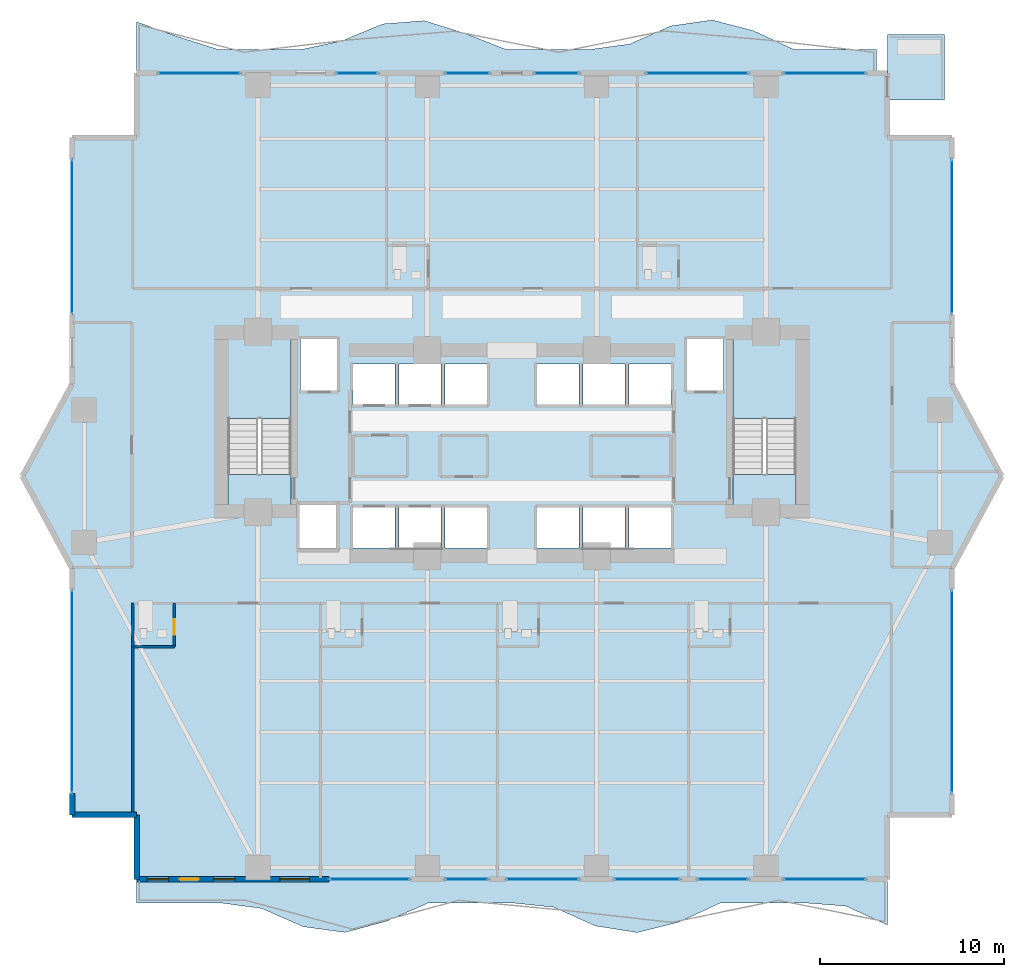
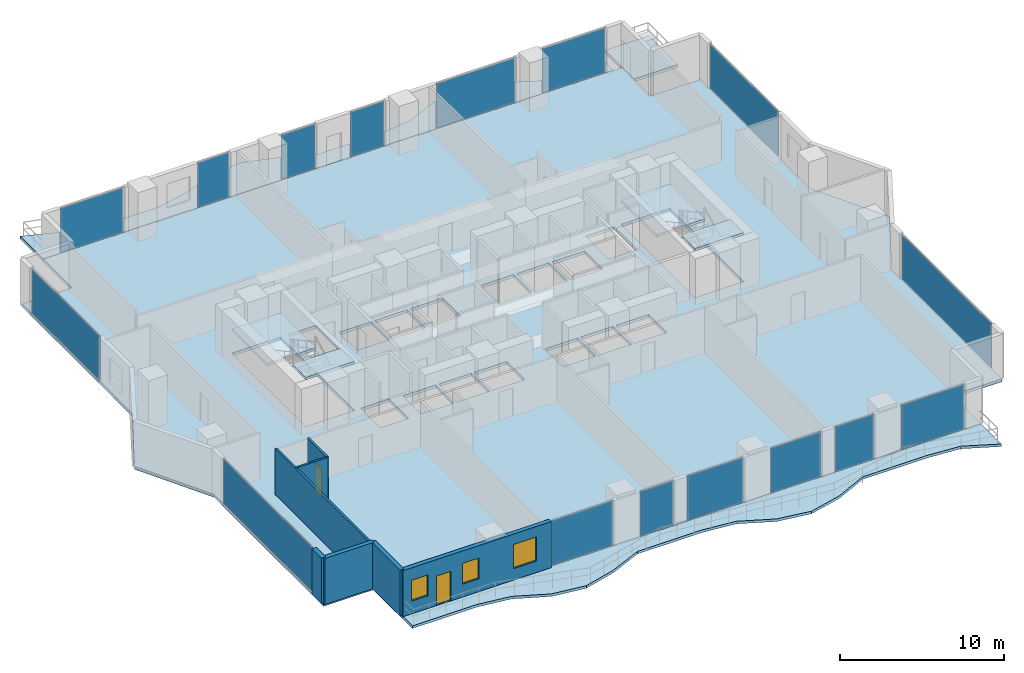
# One storey, part 20 of 28: 16 plates, 8 slabs, 7 walls, 3 windows, 2 doors, 5 openings, 18 elements without a shape of their own.
"""IFC4 building model written with IfcOpenShell, lengths in metres."""

from ifc_helpers import new_model, si_unit, direction, frame, frame_2d, origin, origin_2d, place, context, subcontext, project, spatial, polyline, rectangle, outline, extrude, material, layer, layer_set, type_object, element, fill, aggregate, save


model = new_model("IFC4")

# Units and contexts
model_context = context("Model", 3, precision=1e-05, world=origin(), true_north=direction((0.0, 1.0)))
body_context = subcontext(model_context, "Body", "Model", "MODEL_VIEW")
ifc_project = project(units=[si_unit("LENGTHUNIT", "METRE"), si_unit("AREAUNIT", "SQUARE_METRE"), si_unit("VOLUMEUNIT", "CUBIC_METRE"), si_unit("PLANEANGLEUNIT", "RADIAN"), si_unit("MASSUNIT", "GRAM", prefix="KILO")], contexts=[model_context])

# Site, building, storey
site_placement = place(None, origin())
site = spatial("IfcSite", under=ifc_project, at=site_placement, CompositionType="ELEMENT")
building_placement = place(site_placement, origin())
building = spatial("IfcBuilding", under=site, at=building_placement, Name="Zuhayl Quay Hotel", CompositionType="ELEMENT")
storey_placement = place(building_placement, frame((0.0, 0.0, 146.75)))
storey = spatial("IfcBuildingStorey", under=building, at=storey_placement, Name="L37", CompositionType="ELEMENT", Elevation=146.75)

# Curtain wall, plate
ifc_material_1 = material(Name="Anodised Aluminium 6063-T6", Category="aluminium")
ifc_layer_1 = layer(ifc_material_1, 0.179931640625, Name="Anodised Aluminium 6063-T6", Category="aluminium")
ifc_layer_set_1 = layer_set([ifc_layer_1], Name="Anodised Aluminium 6063-T6")
curtain_wall_type = type_object("IfcCurtainWallType", Name="CW_SYS_Z2", PredefinedType="USERDEFINED", material=ifc_layer_set_1)
curtain_wall_1_placement = place(storey_placement, origin())
curtain_wall_1 = element("IfcCurtainWall", 1, at=curtain_wall_1_placement, inside=storey, type_object=curtain_wall_type, Name="L37 Curtain Wall ENV_L37_E02_CW1", ObjectType="UNITISED CURTAIN WALL", PredefinedType="USERDEFINED")
ifc_material_2 = material(Name="Dark Ceramic-Fritted Solar Glass", Category="glass")
ifc_layer_2 = layer(ifc_material_2, 0.035888671875, Name="Dark Ceramic-Fritted Solar Glass", Category="glass")
ifc_layer_set_2 = layer_set([ifc_layer_2], Name="Dark Ceramic-Fritted Solar Glass")
plate_type = type_object("IfcPlateType", Name="PN_DARK_FRIT_Z1", PredefinedType="CURTAIN_PANEL", material=ifc_layer_set_2)
plate_1_placement = place(storey_placement, frame((-23.89990234375, -5.199951171875, 0.06005859375), z_axis=(0.0, 0.0, 1.0), x_axis=(0.0, 1.0, 0.0)))
plate_1 = element("IfcPlate", 2, at=plate_1_placement, type_object=plate_type, Name="CW-Z2 panel 1.1", PredefinedType="CURTAIN_PANEL", context=body_context, shape_type="SweptSolid", body=[
    extrude(rectangle(XDim=10.969970703125, YDim=0.035888671875, at=origin_2d()), origin(), (0.0, 0.0, 1.0), 3.31005859375),
])
aggregate(curtain_wall_1, [plate_1])

curtain_wall_2_placement = place(storey_placement, origin())
curtain_wall_2 = element("IfcCurtainWall", 3, at=curtain_wall_2_placement, inside=storey, type_object=curtain_wall_type, Name="L37 Curtain Wall ENV_L37_E05_CW1", ObjectType="UNITISED CURTAIN WALL", PredefinedType="USERDEFINED")
plate_2_placement = place(storey_placement, frame((-23.89990234375, 19.52490234375, 0.06005859375), z_axis=(0.0, 0.0, 1.0), x_axis=(0.0, 1.0, 0.0)))
plate_2 = element("IfcPlate", 4, at=plate_2_placement, type_object=plate_type, Name="CW-Z2 panel 1.1", PredefinedType="CURTAIN_PANEL", context=body_context, shape_type="SweptSolid", body=[
    extrude(rectangle(XDim=8.320068359375, YDim=0.035888671875, at=origin_2d()), origin(), (0.0, 0.0, 1.0), 3.31005859375),
])
aggregate(curtain_wall_2, [plate_2])

curtain_wall_3_placement = place(storey_placement, origin())
curtain_wall_3 = element("IfcCurtainWall", 5, at=curtain_wall_3_placement, inside=storey, type_object=curtain_wall_type, Name="L37 Curtain Wall ENV_L37_N_CW1", ObjectType="UNITISED CURTAIN WALL", PredefinedType="USERDEFINED")
plate_3_placement = place(storey_placement, frame((-16.985107421875, 28.39990234375, 0.06005859375), z_axis=(0.0, 0.0, 1.0), x_axis=(1.0, 0.0, 0.0)))
plate_3 = element("IfcPlate", 6, at=plate_3_placement, type_object=plate_type, Name="CW-Z2 panel 1.1", PredefinedType="CURTAIN_PANEL", context=body_context, shape_type="SweptSolid", body=[
    extrude(rectangle(XDim=4.39990234375, YDim=0.035888671875, at=origin_2d()), origin(), (0.0, 0.0, 1.0), 3.31005859375),
])
aggregate(curtain_wall_3, [plate_3])

curtain_wall_4_placement = place(storey_placement, origin())
curtain_wall_4 = element("IfcCurtainWall", 7, at=curtain_wall_4_placement, inside=storey, type_object=curtain_wall_type, Name="L37 Curtain Wall ENV_L37_N_CW2", ObjectType="UNITISED CURTAIN WALL", PredefinedType="USERDEFINED")
plate_4_placement = place(storey_placement, frame((-8.419921875, 28.39990234375, 0.06005859375), z_axis=(0.0, 0.0, 1.0), x_axis=(1.0, 0.0, 0.0)))
plate_4 = element("IfcPlate", 8, at=plate_4_placement, type_object=plate_type, Name="CW-Z2 panel 1.1", PredefinedType="CURTAIN_PANEL", context=body_context, shape_type="SweptSolid", body=[
    extrude(rectangle(XDim=2.2099609375, YDim=0.035888671875, at=origin_2d()), origin(), (0.0, 0.0, 1.0), 3.31005859375),
])
aggregate(curtain_wall_4, [plate_4])

curtain_wall_5_placement = place(storey_placement, origin())
curtain_wall_5 = element("IfcCurtainWall", 9, at=curtain_wall_5_placement, inside=storey, type_object=curtain_wall_type, Name="L37 Curtain Wall ENV_L37_N_CW3", ObjectType="UNITISED CURTAIN WALL", PredefinedType="USERDEFINED")
plate_5_placement = place(storey_placement, frame((-2.427490234375, 28.39990234375, 0.06005859375), z_axis=(0.0, 0.0, 1.0), x_axis=(1.0, 0.0, 0.0)))
plate_5 = element("IfcPlate", 10, at=plate_5_placement, type_object=plate_type, Name="CW-Z2 panel 1.1", PredefinedType="CURTAIN_PANEL", context=body_context, shape_type="SweptSolid", body=[
    extrude(rectangle(XDim=2.375, YDim=0.035888671875, at=origin_2d()), origin(), (0.0, 0.0, 1.0), 3.31005859375),
])
aggregate(curtain_wall_5, [plate_5])

curtain_wall_6_placement = place(storey_placement, origin())
curtain_wall_6 = element("IfcCurtainWall", 11, at=curtain_wall_6_placement, inside=storey, type_object=curtain_wall_type, Name="L37 Curtain Wall ENV_L37_N_CW4", ObjectType="UNITISED CURTAIN WALL", PredefinedType="USERDEFINED")
plate_6_placement = place(storey_placement, frame((2.427490234375, 28.39990234375, 0.06005859375), z_axis=(0.0, 0.0, 1.0), x_axis=(1.0, 0.0, 0.0)))
plate_6 = element("IfcPlate", 12, at=plate_6_placement, type_object=plate_type, Name="CW-Z2 panel 1.1", PredefinedType="CURTAIN_PANEL", context=body_context, shape_type="SweptSolid", body=[
    extrude(rectangle(XDim=2.375, YDim=0.035888671875, at=origin_2d()), origin(), (0.0, 0.0, 1.0), 3.31005859375),
])
aggregate(curtain_wall_6, [plate_6])

curtain_wall_7_placement = place(storey_placement, origin())
curtain_wall_7 = element("IfcCurtainWall", 13, at=curtain_wall_7_placement, inside=storey, type_object=curtain_wall_type, Name="L37 Curtain Wall ENV_L37_N_CW5", ObjectType="UNITISED CURTAIN WALL", PredefinedType="USERDEFINED")
plate_7_placement = place(storey_placement, frame((10.06494140625, 28.39990234375, 0.06005859375), z_axis=(0.0, 0.0, 1.0), x_axis=(1.0, 0.0, 0.0)))
plate_7 = element("IfcPlate", 14, at=plate_7_placement, type_object=plate_type, Name="CW-Z2 panel 1.1", PredefinedType="CURTAIN_PANEL", context=body_context, shape_type="SweptSolid", body=[
    extrude(rectangle(XDim=5.5, YDim=0.035888671875, at=origin_2d()), origin(), (0.0, 0.0, 1.0), 3.31005859375),
])
aggregate(curtain_wall_7, [plate_7])

curtain_wall_8_placement = place(storey_placement, origin())
curtain_wall_8 = element("IfcCurtainWall", 15, at=curtain_wall_8_placement, inside=storey, type_object=curtain_wall_type, Name="L37 Curtain Wall ENV_L37_N_CW6", ObjectType="UNITISED CURTAIN WALL", PredefinedType="USERDEFINED")
plate_8_placement = place(storey_placement, frame((16.985107421875, 28.39990234375, 0.06005859375), z_axis=(0.0, 0.0, 1.0), x_axis=(1.0, 0.0, 0.0)))
plate_8 = element("IfcPlate", 16, at=plate_8_placement, type_object=plate_type, Name="CW-Z2 panel 1.1", PredefinedType="CURTAIN_PANEL", context=body_context, shape_type="SweptSolid", body=[
    extrude(rectangle(XDim=4.39990234375, YDim=0.035888671875, at=origin_2d()), origin(), (0.0, 0.0, 1.0), 3.31005859375),
])
aggregate(curtain_wall_8, [plate_8])

curtain_wall_9_placement = place(storey_placement, origin())
curtain_wall_9 = element("IfcCurtainWall", 17, at=curtain_wall_9_placement, inside=storey, type_object=curtain_wall_type, Name="L37 Curtain Wall ENV_L37_E11_CW1", ObjectType="UNITISED CURTAIN WALL", PredefinedType="USERDEFINED")
plate_9_placement = place(storey_placement, frame((23.89990234375, 19.52490234375, 0.06005859375), z_axis=(0.0, 0.0, 1.0), x_axis=(0.0, -1.0, 0.0)))
plate_9 = element("IfcPlate", 18, at=plate_9_placement, type_object=plate_type, Name="CW-Z2 panel 1.1", PredefinedType="CURTAIN_PANEL", context=body_context, shape_type="SweptSolid", body=[
    extrude(rectangle(XDim=8.320068359375, YDim=0.035888671875, at=origin_2d()), origin(), (0.0, 0.0, 1.0), 3.31005859375),
])
aggregate(curtain_wall_9, [plate_9])

curtain_wall_10_placement = place(storey_placement, origin())
curtain_wall_10 = element("IfcCurtainWall", 19, at=curtain_wall_10_placement, inside=storey, type_object=curtain_wall_type, Name="L37 Curtain Wall ENV_L37_E14_CW1", ObjectType="UNITISED CURTAIN WALL", PredefinedType="USERDEFINED")
plate_10_placement = place(storey_placement, frame((23.89990234375, -5.199951171875, 0.06005859375), z_axis=(0.0, 0.0, 1.0), x_axis=(0.0, -1.0, 0.0)))
plate_10 = element("IfcPlate", 20, at=plate_10_placement, type_object=plate_type, Name="CW-Z2 panel 1.1", PredefinedType="CURTAIN_PANEL", context=body_context, shape_type="SweptSolid", body=[
    extrude(rectangle(XDim=10.969970703125, YDim=0.035888671875, at=origin_2d()), origin(), (0.0, 0.0, 1.0), 3.31005859375),
])
aggregate(curtain_wall_10, [plate_10])

curtain_wall_11_placement = place(storey_placement, origin())
curtain_wall_11 = element("IfcCurtainWall", 21, at=curtain_wall_11_placement, inside=storey, type_object=curtain_wall_type, Name="L37 Curtain Wall ENV_L37_S_CW1", ObjectType="UNITISED CURTAIN WALL", PredefinedType="USERDEFINED")
plate_11_placement = place(storey_placement, frame((16.985107421875, -15.39990234375, 0.06005859375), z_axis=(0.0, 0.0, 1.0), x_axis=(-1.0, 0.0, 0.0)))
plate_11 = element("IfcPlate", 22, at=plate_11_placement, type_object=plate_type, Name="CW-Z2 panel 1.1", PredefinedType="CURTAIN_PANEL", context=body_context, shape_type="SweptSolid", body=[
    extrude(rectangle(XDim=4.39990234375, YDim=0.035888671875, at=origin_2d()), origin(), (0.0, 0.0, 1.0), 3.31005859375),
])
aggregate(curtain_wall_11, [plate_11])

curtain_wall_12_placement = place(storey_placement, origin())
curtain_wall_12 = element("IfcCurtainWall", 23, at=curtain_wall_12_placement, inside=storey, type_object=curtain_wall_type, Name="L37 Curtain Wall ENV_L37_S_CW2", ObjectType="UNITISED CURTAIN WALL", PredefinedType="USERDEFINED")
plate_12_placement = place(storey_placement, frame((11.465087890625, -15.39990234375, 0.06005859375), z_axis=(0.0, 0.0, 1.0), x_axis=(-1.0, 0.0, 0.0)))
plate_12 = element("IfcPlate", 24, at=plate_12_placement, type_object=plate_type, Name="CW-Z2 panel 1.1", PredefinedType="CURTAIN_PANEL", context=body_context, shape_type="SweptSolid", body=[
    extrude(rectangle(XDim=2.699951171875, YDim=0.035888671875, at=origin_2d()), origin(), (0.0, 0.0, 1.0), 3.31005859375),
])
aggregate(curtain_wall_12, [plate_12])

curtain_wall_13_placement = place(storey_placement, origin())
curtain_wall_13 = element("IfcCurtainWall", 25, at=curtain_wall_13_placement, inside=storey, type_object=curtain_wall_type, Name="L37 Curtain Wall ENV_L37_S_CW3", ObjectType="UNITISED CURTAIN WALL", PredefinedType="USERDEFINED")
plate_13_placement = place(storey_placement, frame((7.3349609375, -15.39990234375, 0.06005859375), z_axis=(0.0, 0.0, 1.0), x_axis=(-1.0, 0.0, 0.0)))
plate_13 = element("IfcPlate", 26, at=plate_13_placement, type_object=plate_type, Name="CW-Z2 panel 1.1", PredefinedType="CURTAIN_PANEL", context=body_context, shape_type="SweptSolid", body=[
    extrude(rectangle(XDim=3.5, YDim=0.035888671875, at=origin_2d()), origin(), (0.0, 0.0, 1.0), 3.31005859375),
])
aggregate(curtain_wall_13, [plate_13])

curtain_wall_14_placement = place(storey_placement, origin())
curtain_wall_14 = element("IfcCurtainWall", 27, at=curtain_wall_14_placement, inside=storey, type_object=curtain_wall_type, Name="L37 Curtain Wall ENV_L37_S_CW4", ObjectType="UNITISED CURTAIN WALL", PredefinedType="USERDEFINED")
plate_14_placement = place(storey_placement, frame((1.6650390625, -15.39990234375, 0.06005859375), z_axis=(0.0, 0.0, 1.0), x_axis=(-1.0, 0.0, 0.0)))
plate_14 = element("IfcPlate", 28, at=plate_14_placement, type_object=plate_type, Name="CW-Z2 panel 1.1", PredefinedType="CURTAIN_PANEL", context=body_context, shape_type="SweptSolid", body=[
    extrude(rectangle(XDim=3.89990234375, YDim=0.035888671875, at=origin_2d()), origin(), (0.0, 0.0, 1.0), 3.31005859375),
])
aggregate(curtain_wall_14, [plate_14])

curtain_wall_15_placement = place(storey_placement, origin())
curtain_wall_15 = element("IfcCurtainWall", 29, at=curtain_wall_15_placement, inside=storey, type_object=curtain_wall_type, Name="L37 Curtain Wall ENV_L37_S_CW5", ObjectType="UNITISED CURTAIN WALL", PredefinedType="USERDEFINED")
plate_15_placement = place(storey_placement, frame((-2.465087890625, -15.39990234375, 0.06005859375), z_axis=(0.0, 0.0, 1.0), x_axis=(-1.0, 0.0, 0.0)))
plate_15 = element("IfcPlate", 30, at=plate_15_placement, type_object=plate_type, Name="CW-Z2 panel 1.1", PredefinedType="CURTAIN_PANEL", context=body_context, shape_type="SweptSolid", body=[
    extrude(rectangle(XDim=2.300048828125, YDim=0.035888671875, at=origin_2d()), origin(), (0.0, 0.0, 1.0), 3.31005859375),
])
aggregate(curtain_wall_15, [plate_15])

curtain_wall_16_placement = place(storey_placement, origin())
curtain_wall_16 = element("IfcCurtainWall", 31, at=curtain_wall_16_placement, inside=storey, type_object=curtain_wall_type, Name="L37 Curtain Wall ENV_L37_S_CW6", ObjectType="UNITISED CURTAIN WALL", PredefinedType="USERDEFINED")
plate_16_placement = place(storey_placement, frame((-7.735107421875, -15.39990234375, 0.06005859375), z_axis=(0.0, 0.0, 1.0), x_axis=(-1.0, 0.0, 0.0)))
plate_16 = element("IfcPlate", 32, at=plate_16_placement, type_object=plate_type, Name="CW-Z2 panel 1.1", PredefinedType="CURTAIN_PANEL", context=body_context, shape_type="SweptSolid", body=[
    extrude(rectangle(XDim=4.300048828125, YDim=0.035888671875, at=origin_2d()), origin(), (0.0, 0.0, 1.0), 3.31005859375),
])
aggregate(curtain_wall_16, [plate_16])

# Slabs
ifc_material_3 = material(Name="Concrete C45/55", Category="concrete")
ifc_layer_3 = layer(ifc_material_3, 0.195068359375, Name="Concrete C45/55", Category="concrete")
ifc_layer_set_3 = layer_set([ifc_layer_3], Name="Concrete C45/55")
slab_type_1 = type_object("IfcSlabType", Name="SL_BALCONY_195", PredefinedType="FLOOR", material=ifc_layer_set_3)
slab_1_placement = place(storey_placement, frame((0.0, 0.0, -0.195068359375)))
element("IfcSlab", 33, at=slab_1_placement, inside=storey, type_object=slab_type_1, Name="L37 Exterior Rippling Balcony Slab North", PredefinedType="FLOOR", context=body_context, shape_type="SweptSolid", body=[
    extrude(outline(polyline([(-20.39990234375, 28.39990234375), (19.800048828125, 28.39990234375), (19.800048828125, 29.679931640625), (17.566650390625, 29.679931640625), (15.333251953125, 29.679931640625), (13.10009765625, 30.717041015625), (10.86669921875, 31.289306640625), (8.63330078125, 30.968017578125), (6.39990234375, 29.984619140625), (4.166748046875, 29.679931640625), (1.933349609375, 29.679931640625), (-0.300048828125, 29.679931640625), (-2.533203125, 30.558349609375), (-4.7666015625, 31.253173828125), (-7.0, 31.080078125), (-9.2333984375, 30.164306640625), (-11.466796875, 29.679931640625), (-13.699951171875, 29.679931640625), (-15.933349609375, 29.679931640625), (-18.166748046875, 30.389404296875), (-20.39990234375, 31.19189453125), (-20.39990234375, 28.39990234375)])), origin(), (0.0, 0.0, 1.0), 0.195068359375),
])
slab_2_placement = place(storey_placement, frame((0.0, 0.0, -0.195068359375)))
element("IfcSlab", 34, at=slab_2_placement, inside=storey, type_object=slab_type_1, Name="L37 Exterior Rippling Balcony Slab South", PredefinedType="FLOOR", context=body_context, shape_type="SweptSolid", body=[
    extrude(outline(polyline([(-20.39990234375, -16.679931640625), (-18.13330078125, -16.679931640625), (-15.86669921875, -16.679931640625), (-13.60009765625, -16.984619140625), (-11.333251953125, -17.97900390625), (-9.066650390625, -18.28466796875), (-6.800048828125, -17.675048828125), (-4.533203125, -16.679931640625), (-2.2666015625, -16.679931640625), (0.0, -16.679931640625), (2.2666015625, -16.919189453125), (4.533203125, -17.933837890625), (6.800048828125, -18.293212890625), (9.066650390625, -17.730712890625), (11.333251953125, -16.679931640625), (13.60009765625, -16.679931640625), (15.86669921875, -16.679931640625), (18.13330078125, -16.8544921875), (20.39990234375, -17.886474609375), (20.39990234375, -15.39990234375), (-20.39990234375, -15.39990234375), (-20.39990234375, -16.679931640625)])), origin(), (0.0, 0.0, 1.0), 0.195068359375),
])
ifc_layer_4 = layer(ifc_material_3, 0.219970703125, Name="Concrete C45/55", Category="concrete")
ifc_layer_set_4 = layer_set([ifc_layer_4], Name="Concrete C45/55")
slab_type_2 = type_object("IfcSlabType", Name="SL_FLOOR_220", PredefinedType="FLOOR", material=ifc_layer_set_4)
slab_3_placement = place(storey_placement, frame((0.0, 0.0, -0.219970703125)))
element("IfcSlab", 35, at=slab_3_placement, inside=storey, type_object=slab_type_2, Name="L37 Structural Floor Slab", PredefinedType="FLOOR", context=body_context, shape_type="SweptSolid", body=[
    extrude(outline(polyline([(-20.39990234375, -15.39990234375), (20.39990234375, -15.39990234375), (20.39990234375, -11.89990234375), (23.89990234375, -11.89990234375), (23.89990234375, 1.5), (26.60009765625, 6.5), (23.89990234375, 11.5), (23.89990234375, 24.89990234375), (20.39990234375, 24.89990234375), (20.39990234375, 28.39990234375), (-20.39990234375, 28.39990234375), (-20.39990234375, 24.89990234375), (-23.89990234375, 24.89990234375), (-23.89990234375, 11.5), (-26.60009765625, 6.5), (-23.89990234375, 1.5), (-23.89990234375, -11.89990234375), (-20.39990234375, -11.89990234375), (-20.39990234375, -15.39990234375)]), holes=[polyline([(-12.0, 4.949951171875), (-12.0, 13.949951171875), (-15.429931640625, 13.949951171875), (-15.429931640625, 4.949951171875), (-12.0, 4.949951171875)]), polyline([(15.429931640625, 4.949951171875), (15.429931640625, 13.949951171875), (12.0, 13.949951171875), (12.0, 4.949951171875), (15.429931640625, 4.949951171875)]), polyline([(-11.5, 11.14990234375), (-9.5, 11.14990234375), (-9.5, 13.949951171875), (-11.5, 13.949951171875), (-11.5, 11.14990234375)]), polyline([(9.5, 11.14990234375), (11.5, 11.14990234375), (11.5, 13.949951171875), (9.5, 13.949951171875), (9.5, 11.14990234375)]), polyline([(-8.64990234375, 2.60009765625), (-6.35009765625, 2.60009765625), (-6.35009765625, 4.800048828125), (-8.64990234375, 4.800048828125), (-8.64990234375, 2.60009765625)]), polyline([(-6.14990234375, 2.60009765625), (-3.85009765625, 2.60009765625), (-3.85009765625, 4.800048828125), (-6.14990234375, 4.800048828125), (-6.14990234375, 2.60009765625)]), polyline([(-8.64990234375, 10.39990234375), (-6.35009765625, 10.39990234375), (-6.35009765625, 12.60009765625), (-8.64990234375, 12.60009765625), (-8.64990234375, 10.39990234375)]), polyline([(-6.14990234375, 10.39990234375), (-3.85009765625, 10.39990234375), (-3.85009765625, 12.60009765625), (-6.14990234375, 12.60009765625), (-6.14990234375, 10.39990234375)]), polyline([(-3.64990234375, 2.60009765625), (-1.35009765625, 2.60009765625), (-1.35009765625, 4.800048828125), (-3.64990234375, 4.800048828125), (-3.64990234375, 2.60009765625)]), polyline([(1.35009765625, 2.60009765625), (3.64990234375, 2.60009765625), (3.64990234375, 4.800048828125), (1.35009765625, 4.800048828125), (1.35009765625, 2.60009765625)]), polyline([(-3.64990234375, 10.39990234375), (-1.35009765625, 10.39990234375), (-1.35009765625, 12.60009765625), (-3.64990234375, 12.60009765625), (-3.64990234375, 10.39990234375)]), polyline([(1.35009765625, 10.39990234375), (3.64990234375, 10.39990234375), (3.64990234375, 12.60009765625), (1.35009765625, 12.60009765625), (1.35009765625, 10.39990234375)]), polyline([(3.85009765625, 2.60009765625), (6.14990234375, 2.60009765625), (6.14990234375, 4.800048828125), (3.85009765625, 4.800048828125), (3.85009765625, 2.60009765625)]), polyline([(6.35009765625, 2.60009765625), (8.64990234375, 2.60009765625), (8.64990234375, 4.800048828125), (6.35009765625, 4.800048828125), (6.35009765625, 2.60009765625)]), polyline([(3.85009765625, 10.39990234375), (6.14990234375, 10.39990234375), (6.14990234375, 12.60009765625), (3.85009765625, 12.60009765625), (3.85009765625, 10.39990234375)]), polyline([(6.35009765625, 10.39990234375), (8.64990234375, 10.39990234375), (8.64990234375, 12.60009765625), (6.35009765625, 12.60009765625), (6.35009765625, 10.39990234375)]), polyline([(-11.550048828125, 2.550048828125), (-9.550048828125, 2.550048828125), (-9.550048828125, 4.949951171875), (-11.550048828125, 4.949951171875), (-11.550048828125, 2.550048828125)])]), origin(), (0.0, 0.0, 1.0), 0.219970703125),
])

# Stair, slabs
stair_type = type_object("IfcStairType", Name="ST_DOGLEG_TOWER", PredefinedType="HALF_TURN_STAIR", material=ifc_material_3)
stair_1_placement = place(storey_placement, origin())
stair_1 = element("IfcStair", 36, at=stair_1_placement, inside=storey, type_object=stair_type, Name="L37 Smokeproof Exit Stair ST1", PredefinedType="HALF_TURN_STAIR")
ifc_layer_5 = layer(ifc_material_3, 0.199951171875, Name="Concrete C45/55", Category="concrete")
ifc_layer_set_5 = layer_set([ifc_layer_5], Name="Concrete C45/55")
slab_type_3 = type_object("IfcSlabType", Name="SL_STAIR_LANDING_200", PredefinedType="LANDING", material=ifc_layer_set_5)
slab_4_placement = place(storey_placement, frame((0.0, 0.0, 1.625)))
slab_4 = element("IfcSlab", 37, at=slab_4_placement, type_object=slab_type_3, Name="ST1 landing 1", PredefinedType="LANDING", context=body_context, shape_type="SweptSolid", body=[
    extrude(outline(polyline([(-12.0, 9.64990234375), (-12.0, 13.949951171875), (-15.429931640625, 13.949951171875), (-15.429931640625, 9.64990234375), (-12.0, 9.64990234375)])), origin(), (0.0, 0.0, 1.0), 0.199951171875),
])
slab_5_placement = place(storey_placement, frame((0.0, 0.0, 3.449951171875)))
slab_5 = element("IfcSlab", 38, at=slab_5_placement, type_object=slab_type_3, Name="ST1 landing 2", PredefinedType="LANDING", context=body_context, shape_type="SweptSolid", body=[
    extrude(outline(polyline([(-12.0, 4.949951171875), (-12.0, 6.590087890625), (-15.429931640625, 6.590087890625), (-15.429931640625, 4.949951171875), (-12.0, 4.949951171875)])), origin(), (0.0, 0.0, 1.0), 0.199951171875),
])
aggregate(stair_1, [slab_4, slab_5])

stair_2_placement = place(storey_placement, origin())
stair_2 = element("IfcStair", 39, at=stair_2_placement, inside=storey, type_object=stair_type, Name="L37 Smokeproof Exit Stair ST2", PredefinedType="HALF_TURN_STAIR")
slab_6_placement = place(storey_placement, frame((0.0, 0.0, 1.625)))
slab_6 = element("IfcSlab", 40, at=slab_6_placement, type_object=slab_type_3, Name="ST2 landing 1", PredefinedType="LANDING", context=body_context, shape_type="SweptSolid", body=[
    extrude(outline(polyline([(15.429931640625, 9.64990234375), (15.429931640625, 13.949951171875), (12.0, 13.949951171875), (12.0, 9.64990234375), (15.429931640625, 9.64990234375)])), origin(), (0.0, 0.0, 1.0), 0.199951171875),
])
slab_7_placement = place(storey_placement, frame((0.0, 0.0, 3.449951171875)))
slab_7 = element("IfcSlab", 41, at=slab_7_placement, type_object=slab_type_3, Name="ST2 landing 2", PredefinedType="LANDING", context=body_context, shape_type="SweptSolid", body=[
    extrude(outline(polyline([(15.429931640625, 4.949951171875), (15.429931640625, 6.590087890625), (12.0, 6.590087890625), (12.0, 4.949951171875), (15.429931640625, 4.949951171875)])), origin(), (0.0, 0.0, 1.0), 0.199951171875),
])
aggregate(stair_2, [slab_6, slab_7])

# Slab
ifc_layer_6 = layer(ifc_material_3, 0.219970703125, Name="Concrete C45/55", Category="concrete")
ifc_layer_set_6 = layer_set([ifc_layer_6], Name="Concrete C45/55")
slab_type_4 = type_object("IfcSlabType", Name="SL_TERRACE_235", PredefinedType="FLOOR", material=ifc_layer_set_6)
slab_8_placement = place(storey_placement, frame((0.0, 0.0, -0.219970703125)))
element("IfcSlab", 42, at=slab_8_placement, inside=storey, type_object=slab_type_4, Name="L37 Exterior Sky-Terrace Slab L37_SPIRAL_NE", PredefinedType="FLOOR", context=body_context, shape_type="SweptSolid", body=[
    extrude(outline(polyline([(20.39990234375, 26.949951171875), (23.5, 26.949951171875), (23.5, 30.5), (20.39990234375, 30.5), (20.39990234375, 26.949951171875)])), origin(), (0.0, 0.0, 1.0), 0.219970703125),
])

# Walls
ifc_material_4 = material(Name="Precast concrete C45/55", Category="concrete")
ifc_layer_7 = layer(ifc_material_4, 0.300048828125, Name="Precast concrete C45/55", Category="concrete")
ifc_layer_set_7 = layer_set([ifc_layer_7], Name="Precast concrete C45/55")
wall_type_1 = type_object("IfcWallType", Name="WL_EXT_300", PredefinedType="STANDARD", material=ifc_layer_set_7)
wall_1_placement = place(storey_placement, frame((-20.39990234375, -11.89990234375, 0.0), z_axis=(0.0, 0.0, 1.0), x_axis=(-1.0, 0.0, 0.0)))
element("IfcWall", 43, at=wall_1_placement, inside=storey, type_object=wall_type_1, Name="L37 Exterior Precast Wall ENV_L37_EW01", PredefinedType="STANDARD", context=body_context, shape_type="SweptSolid", body=[
    extrude(rectangle(XDim=3.5, YDim=0.300048828125, at=frame_2d((1.75, 0.0))), origin(), (0.0, 0.0, 1.0), 3.429931640625),
])
wall_2_placement = place(storey_placement, frame((-23.89990234375, -11.89990234375, 0.0), z_axis=(0.0, 0.0, 1.0), x_axis=(0.0, 1.0, 0.0)))
element("IfcWall", 44, at=wall_2_placement, inside=storey, type_object=wall_type_1, Name="L37 Exterior Precast Wall ENV_L37_E02_EW1", PredefinedType="STANDARD", context=body_context, shape_type="SweptSolid", body=[
    extrude(rectangle(XDim=1.14990234375, YDim=0.300048828125, at=frame_2d((0.574951171875, 0.0))), origin(), (0.0, 0.0, 1.0), 3.429931640625),
])

# Wall, openings, door, windows
wall_3_placement = place(storey_placement, frame((-9.949951171875, -15.39990234375, 0.0), z_axis=(0.0, 0.0, 1.0), x_axis=(-1.0, 0.0, 0.0)))
wall_3 = element("IfcWall", 45, at=wall_3_placement, inside=storey, type_object=wall_type_1, Name="L37 Exterior Precast Wall ENV_L37_S_EW7", PredefinedType="STANDARD", context=body_context, shape_type="SweptSolid", body=[
    extrude(rectangle(XDim=10.449951171875, YDim=0.300048828125, at=frame_2d((5.22509765625, 0.0))), origin(), (0.0, 0.0, 1.0), 3.429931640625),
])
opening_1_placement = place(wall_3_placement, frame((7.06494140625, 0.0, 0.0)))
opening_1 = element("IfcOpeningElement", 46, at=opening_1_placement, cuts=wall_3, Name="Opening DG1", PredefinedType="OPENING", context=body_context, shape_type="SweptSolid", body=[
    extrude(rectangle(XDim=1.050048828125, YDim=2.199951171875, at=frame_2d((0.52490234375, 1.10009765625))), frame((0.0, 0.159912109375, 0.0), z_axis=(0.0, -1.0, 0.0), x_axis=(1.0, 0.0, 0.0)), (0.0, 0.0, 1.0), 0.320068359375),
])
opening_2_placement = place(wall_3_placement, frame((1.06005859375, 0.0, 0.85009765625)))
opening_2 = element("IfcOpeningElement", 47, at=opening_2_placement, cuts=wall_3, Name="Opening W01", PredefinedType="OPENING", context=body_context, shape_type="SweptSolid", body=[
    extrude(rectangle(XDim=1.60009765625, YDim=1.800048828125, at=frame_2d((0.800048828125, 0.89990234375))), frame((0.0, 0.159912109375, 0.0), z_axis=(0.0, -1.0, 0.0), x_axis=(1.0, 0.0, 0.0)), (0.0, 0.0, 1.0), 0.320068359375),
])
opening_3_placement = place(wall_3_placement, frame((5.107421875, 0.0, 0.949951171875)))
opening_3 = element("IfcOpeningElement", 48, at=opening_3_placement, cuts=wall_3, Name="Opening W01N", PredefinedType="OPENING", context=body_context, shape_type="SweptSolid", body=[
    extrude(rectangle(XDim=1.14990234375, YDim=1.550048828125, at=frame_2d((0.574951171875, 0.77490234375))), frame((0.0, 0.159912109375, 0.0), z_axis=(0.0, -1.0, 0.0), x_axis=(1.0, 0.0, 0.0)), (0.0, 0.0, 1.0), 0.320068359375),
])
opening_4_placement = place(wall_3_placement, frame((8.71240234375, 0.0, 0.949951171875)))
opening_4 = element("IfcOpeningElement", 49, at=opening_4_placement, cuts=wall_3, Name="Opening W01N", PredefinedType="OPENING", context=body_context, shape_type="SweptSolid", body=[
    extrude(rectangle(XDim=1.14990234375, YDim=1.550048828125, at=frame_2d((0.574951171875, 0.77490234375))), frame((0.0, 0.159912109375, 0.0), z_axis=(0.0, -1.0, 0.0), x_axis=(1.0, 0.0, 0.0)), (0.0, 0.0, 1.0), 0.320068359375),
])
ifc_material_5 = material(Name="Anodised Aluminium and Dark Solar Glass", Category="aluminium")
door_type_1 = type_object("IfcDoorType", Name="DR_EXT_TERR_1050", OperationType="NOTDEFINED", PredefinedType="DOOR", material=ifc_material_5)
door_1_placement = place(opening_1_placement, origin())
door_1 = element("IfcDoor", 50, at=door_1_placement, inside=storey, type_object=door_type_1, Name="L37 South Rippling Balcony Door", OperationType="SINGLE_SWING_RIGHT", OverallHeight=2.199951171875, OverallWidth=1.050048828125, PredefinedType="DOOR", context=body_context, shape_type="SweptSolid", body=[
    extrude(rectangle(XDim=1.050048828125, YDim=2.199951171875, at=frame_2d((0.52490234375, 1.10009765625))), frame((0.0, 0.02490234375, 0.0), z_axis=(0.0, -1.0, 0.0), x_axis=(1.0, 0.0, 0.0)), (0.0, 0.0, 1.0), 0.050048828125),
])
fill(opening_1, door_1)
window_type_1 = type_object("IfcWindowType", Name="WN_NOTCH_1350", PartitioningType="SINGLE_PANEL", PredefinedType="WINDOW", material=ifc_material_2)
window_1_placement = place(opening_3_placement, origin())
window_1 = element("IfcWindow", 51, at=window_1_placement, inside=storey, type_object=window_type_1, Name="L37 Operable Facade Window 7-2", OverallHeight=1.550048828125, OverallWidth=1.14990234375, PartitioningType="SINGLE_PANEL", PredefinedType="WINDOW", context=body_context, shape_type="SweptSolid", body=[
    extrude(rectangle(XDim=1.14990234375, YDim=1.550048828125, at=frame_2d((0.574951171875, 0.77490234375))), frame((0.0, 0.030029296875, 0.0), z_axis=(0.0, -1.0, 0.0), x_axis=(1.0, 0.0, 0.0)), (0.0, 0.0, 1.0), 0.06005859375),
])
fill(opening_3, window_1)
window_2_placement = place(opening_4_placement, origin())
window_2 = element("IfcWindow", 52, at=window_2_placement, inside=storey, type_object=window_type_1, Name="L37 Operable Facade Window 7-3", OverallHeight=1.550048828125, OverallWidth=1.14990234375, PartitioningType="SINGLE_PANEL", PredefinedType="WINDOW", context=body_context, shape_type="SweptSolid", body=[
    extrude(rectangle(XDim=1.14990234375, YDim=1.550048828125, at=frame_2d((0.574951171875, 0.77490234375))), frame((0.0, 0.030029296875, 0.0), z_axis=(0.0, -1.0, 0.0), x_axis=(1.0, 0.0, 0.0)), (0.0, 0.0, 1.0), 0.06005859375),
])
fill(opening_4, window_2)
window_type_2 = type_object("IfcWindowType", Name="WN_OPERABLE_1600", PartitioningType="DOUBLE_PANEL_VERTICAL", PredefinedType="WINDOW", material=ifc_material_2)
window_3_placement = place(opening_2_placement, origin())
window_3 = element("IfcWindow", 53, at=window_3_placement, inside=storey, type_object=window_type_2, Name="L37 Operable Facade Window 7-1", OverallHeight=1.800048828125, OverallWidth=1.60009765625, PartitioningType="SINGLE_PANEL", PredefinedType="WINDOW", context=body_context, shape_type="SweptSolid", body=[
    extrude(rectangle(XDim=1.60009765625, YDim=1.800048828125, at=frame_2d((0.800048828125, 0.89990234375))), frame((0.0, 0.030029296875, 0.0), z_axis=(0.0, -1.0, 0.0), x_axis=(1.0, 0.0, 0.0)), (0.0, 0.0, 1.0), 0.06005859375),
])
fill(opening_2, window_3)

# Walls
wall_4_placement = place(storey_placement, frame((-20.39990234375, -15.39990234375, 0.0), z_axis=(0.0, 0.0, 1.0), x_axis=(0.0, 1.0, 0.0)))
element("IfcWall", 54, at=wall_4_placement, inside=storey, type_object=wall_type_1, Name="L37 Exterior Precast Wall ENV_L37_EW18", PredefinedType="STANDARD", context=body_context, shape_type="SweptSolid", body=[
    extrude(rectangle(XDim=3.5, YDim=0.300048828125, at=frame_2d((1.75, 0.0))), origin(), (0.0, 0.0, 1.0), 3.429931640625),
])
ifc_material_6 = material(Name="Acoustic Gypsum Partition STC-58")
ifc_layer_8 = layer(ifc_material_6, 0.14990234375, Name="Acoustic Gypsum Partition STC-58")
ifc_layer_set_8 = layer_set([ifc_layer_8], Name="Acoustic Gypsum Partition STC-58")
wall_type_2 = type_object("IfcWallType", Name="WL_PART_150", PredefinedType="PARTITIONING", material=ifc_layer_set_8)
wall_5_placement = place(storey_placement, frame((-20.60009765625, -11.89990234375, 0.0), z_axis=(0.0, 0.0, 1.0), x_axis=(0.0, 1.0, 0.0)))
element("IfcWall", 55, at=wall_5_placement, inside=storey, type_object=wall_type_2, Name="L37 Partition IW_L37_SU01_W", PredefinedType="PARTITIONING", context=body_context, shape_type="SweptSolid", body=[
    extrude(rectangle(XDim=11.5, YDim=0.14990234375, at=frame_2d((5.75, 0.0))), origin(), (0.0, 0.0, 1.0), 3.429931640625),
])

# Wall, opening, door
ifc_material_7 = material(Name="Moisture-Resistant Sanitarychase Gypsum")
ifc_layer_9 = layer(ifc_material_7, 0.135009765625, Name="Moisture-Resistant Sanitarychase Gypsum")
ifc_layer_set_9 = layer_set([ifc_layer_9], Name="Moisture-Resistant Sanitarychase Gypsum")
wall_type_3 = type_object("IfcWallType", Name="WL_PART_PLUMB_150", PredefinedType="PLUMBINGWALL", material=ifc_layer_set_9)
wall_6_placement = place(storey_placement, frame((-18.340087890625, -2.760009765625, 0.0), z_axis=(0.0, 0.0, 1.0), x_axis=(0.0, 1.0, 0.0)))
wall_6 = element("IfcWall", 56, at=wall_6_placement, inside=storey, type_object=wall_type_3, Name="L37 Partition IW_L37_SU01_BE", PredefinedType="PLUMBINGWALL", context=body_context, shape_type="SweptSolid", body=[
    extrude(rectangle(XDim=2.360107421875, YDim=0.135009765625, at=frame_2d((1.18017578125, 0.0))), origin(), (0.0, 0.0, 1.0), 3.429931640625),
])
opening_5_placement = place(wall_6_placement, frame((0.64990234375, 0.0, 0.0)))
opening_5 = element("IfcOpeningElement", 57, at=opening_5_placement, cuts=wall_6, Name="Opening D04", PredefinedType="OPENING", context=body_context, shape_type="SweptSolid", body=[
    extrude(rectangle(XDim=0.85009765625, YDim=2.10009765625, at=frame_2d((0.425048828125, 1.050048828125))), frame((0.0, 0.077392578125, 0.0), z_axis=(0.0, -1.0, 0.0), x_axis=(1.0, 0.0, 0.0)), (0.0, 0.0, 1.0), 0.155029296875),
])
ifc_material_8 = material(Name="Moisture-Resistant Walnut Veneer")
door_type_2 = type_object("IfcDoorType", Name="DR_BATH_850", OperationType="NOTDEFINED", PredefinedType="DOOR", material=ifc_material_8)
door_2_placement = place(opening_5_placement, origin())
door_2 = element("IfcDoor", 58, at=door_2_placement, inside=storey, type_object=door_type_2, Name="L37 City-View Junior Suite L37-01 En-Suite Door", OperationType="SINGLE_SWING_LEFT", OverallHeight=2.10009765625, OverallWidth=0.85009765625, PredefinedType="DOOR", context=body_context, shape_type="SweptSolid", body=[
    extrude(rectangle(XDim=0.85009765625, YDim=2.10009765625, at=frame_2d((0.425048828125, 1.050048828125))), frame((0.0, 0.02490234375, 0.0), z_axis=(0.0, -1.0, 0.0), x_axis=(1.0, 0.0, 0.0)), (0.0, 0.0, 1.0), 0.050048828125),
])
fill(opening_5, door_2)

# Wall
wall_7_placement = place(storey_placement, frame((-20.60009765625, -2.760009765625, 0.0), z_axis=(0.0, 0.0, 1.0), x_axis=(1.0, 0.0, 0.0)))
element("IfcWall", 59, at=wall_7_placement, inside=storey, type_object=wall_type_3, Name="L37 Partition IW_L37_SU01_BS", PredefinedType="PLUMBINGWALL", context=body_context, shape_type="SweptSolid", body=[
    extrude(rectangle(XDim=2.260009765625, YDim=0.135009765625, at=frame_2d((1.1298828125, 0.0))), origin(), (0.0, 0.0, 1.0), 3.429931640625),
])

save(model, "model.ifc")
